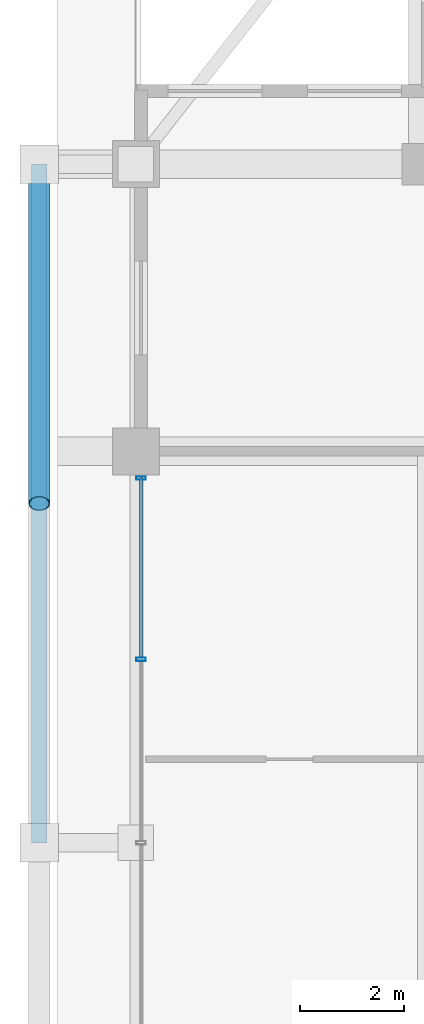
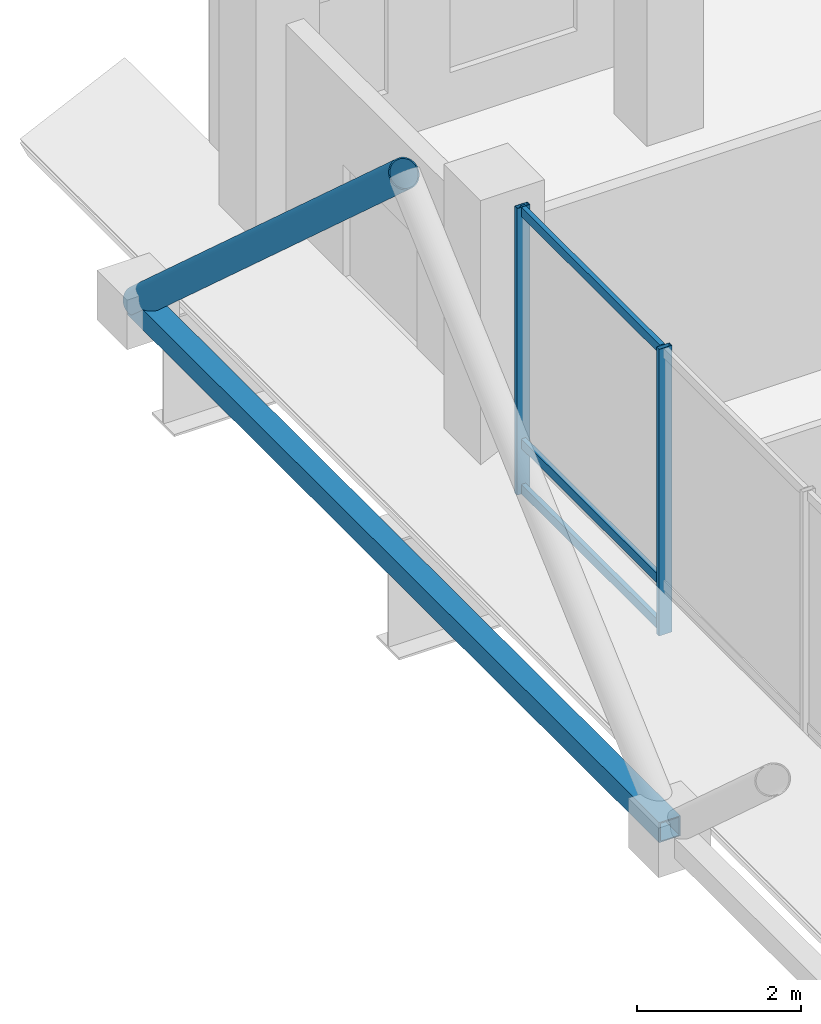
# One storey, part 11 of 27: 7 members, 1 element without a shape of its own.
"""IFC4 building model written with IfcOpenShell, lengths in metres."""

from ifc_helpers import new_model, si_unit, direction, frame, origin, origin_2d, place, context, subcontext, project, spatial, hollow_rectangle, hollow_circle, extrude, material, layer, layer_set, material_profile, profile_set, type_object, element, aggregate, save


model = new_model("IFC4")

# Units and contexts
model_context = context("Model", 3, precision=1e-05, world=origin(), true_north=direction((0.0, 1.0)))
body_context = subcontext(model_context, "Body", "Model", "MODEL_VIEW")
ifc_project = project(units=[si_unit("LENGTHUNIT", "METRE"), si_unit("AREAUNIT", "SQUARE_METRE"), si_unit("VOLUMEUNIT", "CUBIC_METRE"), si_unit("PLANEANGLEUNIT", "RADIAN"), si_unit("MASSUNIT", "GRAM", prefix="KILO")], contexts=[model_context])

# Site, building, storey
site_placement = place(None, origin())
site = spatial("IfcSite", under=ifc_project, at=site_placement, CompositionType="ELEMENT")
building_placement = place(site_placement, origin())
building = spatial("IfcBuilding", under=site, at=building_placement, Name="Barlavira Tower and Art Museum", CompositionType="ELEMENT")
storey_placement = place(building_placement, frame((0.0, 0.0, 217.800048828125)))
storey = spatial("IfcBuildingStorey", under=building, at=storey_placement, Name="L56", CompositionType="ELEMENT", Elevation=217.800048828125)

# Curtain wall, members
ifc_material_1 = material(Name="Low-iron coastal laminated glass", Category="glass")
ifc_layer = layer(ifc_material_1, 0.2099609375, Name="Low-iron coastal laminated glass")
ifc_layer_set = layer_set([ifc_layer], Name="Low-iron coastal laminated glass")
curtain_wall_type = type_object("IfcCurtainWallType", Name="Pale-Metal Unitised Curtain Wall Zone 4", PredefinedType="NOTDEFINED", material=ifc_layer_set)
curtain_wall_placement = place(storey_placement, origin())
curtain_wall = element("IfcCurtainWall", 1, at=curtain_wall_placement, inside=storey, type_object=curtain_wall_type, Name="L56 Curtain Wall CW4-L56-W-B3", PredefinedType="NOTDEFINED")
ifc_material_2 = material(Name="Pale anodised aluminium", Category="aluminium")
ifc_material_profile_1 = material_profile(ifc_material_2, hollow_rectangle(XDim=0.06494140625, YDim=0.179931640625, WallThickness=0.00390625, at=origin_2d()), Name="ALU-MULL 65x180x4")
ifc_profile_set_1 = profile_set([ifc_material_profile_1], Name="Pale anodised aluminium")
member_type_1 = type_object("IfcMemberType", Name="Curtain Wall Pale-Metal Mullion 65x180", PredefinedType="MULLION", material=ifc_profile_set_1)
member_1_placement = place(storey_placement, frame((-16.89990234375, 6.985107421875, 0.0), z_axis=(0.0, 0.0, 1.0), x_axis=(0.0, -1.0, 0.0)))
member_1 = element("IfcMember", 2, at=member_1_placement, type_object=member_type_1, Name="CW4-L56-W-B3 Mullion 0", PredefinedType="MULLION", context=body_context, shape_type="SweptSolid", body=[
    extrude(hollow_rectangle(XDim=0.06494140625, YDim=0.179931640625, WallThickness=0.00390625, at=origin_2d()), origin(), (0.0, 0.0, 1.0), 4.280029296875),
])
member_2_placement = place(storey_placement, frame((-16.89990234375, 3.514892578125, 0.0), z_axis=(0.0, 0.0, 1.0), x_axis=(0.0, -1.0, 0.0)))
member_2 = element("IfcMember", 3, at=member_2_placement, type_object=member_type_1, Name="CW4-L56-W-B3 Mullion 1", PredefinedType="MULLION", context=body_context, shape_type="SweptSolid", body=[
    extrude(hollow_rectangle(XDim=0.06494140625, YDim=0.179931640625, WallThickness=0.00390625, at=origin_2d()), origin(), (0.0, 0.0, 1.0), 4.280029296875),
])
ifc_material_profile_2 = material_profile(ifc_material_2, hollow_rectangle(XDim=0.06494140625, YDim=0.139892578125, WallThickness=0.00390625, at=origin_2d()), Name="ALU-TRAN 65x140x4")
ifc_profile_set_2 = profile_set([ifc_material_profile_2], Name="Pale anodised aluminium")
member_type_2 = type_object("IfcMemberType", Name="Curtain Wall Pale-Metal Transom 65x140", PredefinedType="USERDEFINED", material=ifc_profile_set_2)
member_3_placement = place(storey_placement, frame((-16.89990234375, 6.985107421875, 0.070068359375), z_axis=(0.0, -1.0, 0.0), x_axis=(1.0, 0.0, 0.0)))
member_3 = element("IfcMember", 4, at=member_3_placement, type_object=member_type_2, Name="CW4-L56-W-B3 Transom 0.1", ObjectType="TRANSOM", PredefinedType="USERDEFINED", context=body_context, shape_type="SweptSolid", body=[
    extrude(hollow_rectangle(XDim=0.06494140625, YDim=0.139892578125, WallThickness=0.00390625, at=origin_2d()), origin(), (0.0, 0.0, 1.0), 3.425048828125),
])
member_4_placement = place(storey_placement, frame((-16.89990234375, 6.985107421875, 0.75), z_axis=(0.0, -1.0, 0.0), x_axis=(1.0, 0.0, 0.0)))
member_4 = element("IfcMember", 5, at=member_4_placement, type_object=member_type_2, Name="CW4-L56-W-B3 Transom 0.2", ObjectType="TRANSOM", PredefinedType="USERDEFINED", context=body_context, shape_type="SweptSolid", body=[
    extrude(hollow_rectangle(XDim=0.06494140625, YDim=0.139892578125, WallThickness=0.00390625, at=origin_2d()), origin(), (0.0, 0.0, 1.0), 3.425048828125),
])
member_5_placement = place(storey_placement, frame((-16.89990234375, 6.985107421875, 4.2099609375), z_axis=(0.0, -1.0, 0.0), x_axis=(1.0, 0.0, 0.0)))
member_5 = element("IfcMember", 6, at=member_5_placement, type_object=member_type_2, Name="CW4-L56-W-B3 Transom 0.3", ObjectType="TRANSOM", PredefinedType="USERDEFINED", context=body_context, shape_type="SweptSolid", body=[
    extrude(hollow_rectangle(XDim=0.06494140625, YDim=0.139892578125, WallThickness=0.00390625, at=origin_2d()), origin(), (0.0, 0.0, 1.0), 3.425048828125),
])
aggregate(curtain_wall, [member_1, member_2, member_3, member_4, member_5])

# Members
ifc_material_3 = material(Name="Steel S355", Category="steel")
ifc_material_profile_3 = material_profile(ifc_material_3, hollow_circle(Radius=0.203125, WallThickness=0.01611328125, at=origin_2d()), Name="CHS 406.4x16.0")
ifc_profile_set_3 = profile_set([ifc_material_profile_3], Name="Steel S355")
member_type_3 = type_object("IfcMemberType", Name="Pale-Metal Exoskeleton Diagrid Tube CHS 406x16 Steel S355", PredefinedType="BRACE", material=ifc_profile_set_3)
member_6_placement = place(storey_placement, frame((-18.85009765625, 13.0, -0.1201171875), z_axis=(0.0, -0.743288593472, 0.668970901321), x_axis=(1.0, 0.0, 0.0)))
element("IfcMember", 7, at=member_6_placement, inside=storey, type_object=member_type_3, Name="L56 Exoskeleton Diagrid Tube W", PredefinedType="BRACE", context=body_context, shape_type="SweptSolid", body=[
    extrude(hollow_circle(Radius=0.203125, WallThickness=0.01611328125, at=origin_2d()), origin(), (0.0, 0.0, 1.0), 8.744873046875),
])
ifc_material_profile_4 = material_profile(ifc_material_3, hollow_rectangle(XDim=0.300048828125, YDim=0.300048828125, WallThickness=0.01611328125, at=origin_2d()), Name="SHS 300x300x16.0")
ifc_profile_set_4 = profile_set([ifc_material_profile_4], Name="Steel S355")
member_type_4 = type_object("IfcMemberType", Name="Pale-Metal Upper Ring Strut SHS 300x300x16 Steel S355", PredefinedType="STRUT", material=ifc_profile_set_4)
member_7_placement = place(storey_placement, frame((-18.85009765625, 0.0, -0.1201171875), z_axis=(0.0, 1.0, 0.0), x_axis=(-1.0, 0.0, 0.0)))
element("IfcMember", 8, at=member_7_placement, inside=storey, type_object=member_type_4, Name="L56 Exoskeleton Ring Strut W", PredefinedType="STRUT", context=body_context, shape_type="SweptSolid", body=[
    extrude(hollow_rectangle(XDim=0.300048828125, YDim=0.300048828125, WallThickness=0.01611328125, at=origin_2d()), origin(), (0.0, 0.0, 1.0), 13.0),
])

save(model, "model.ifc")
